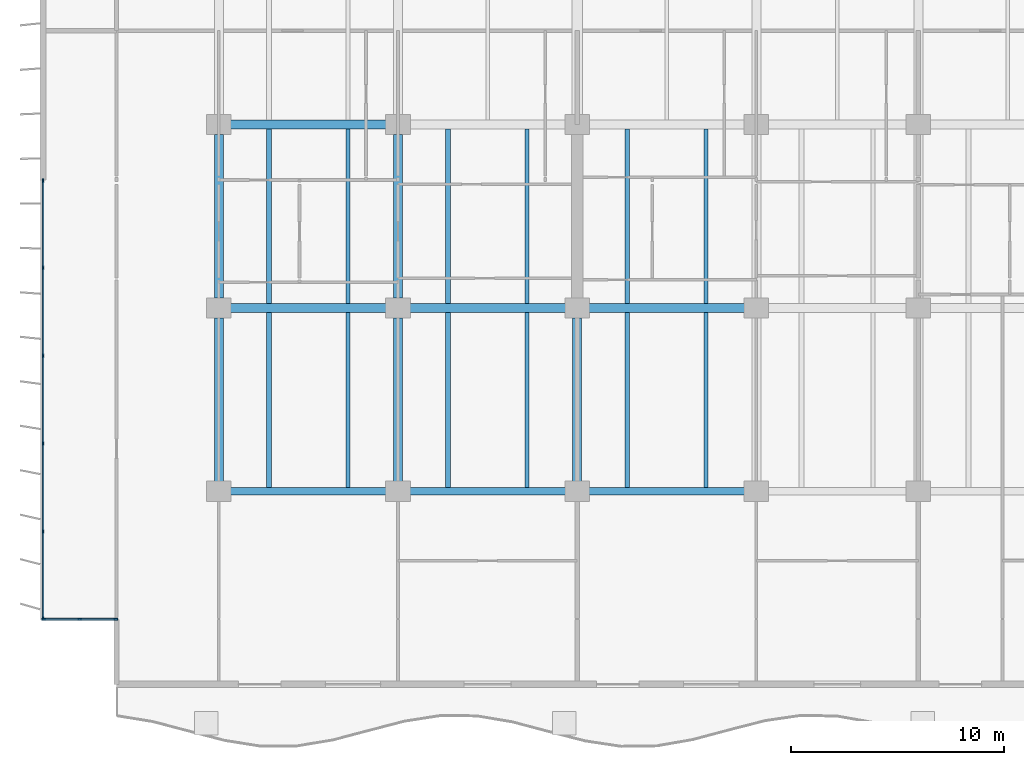
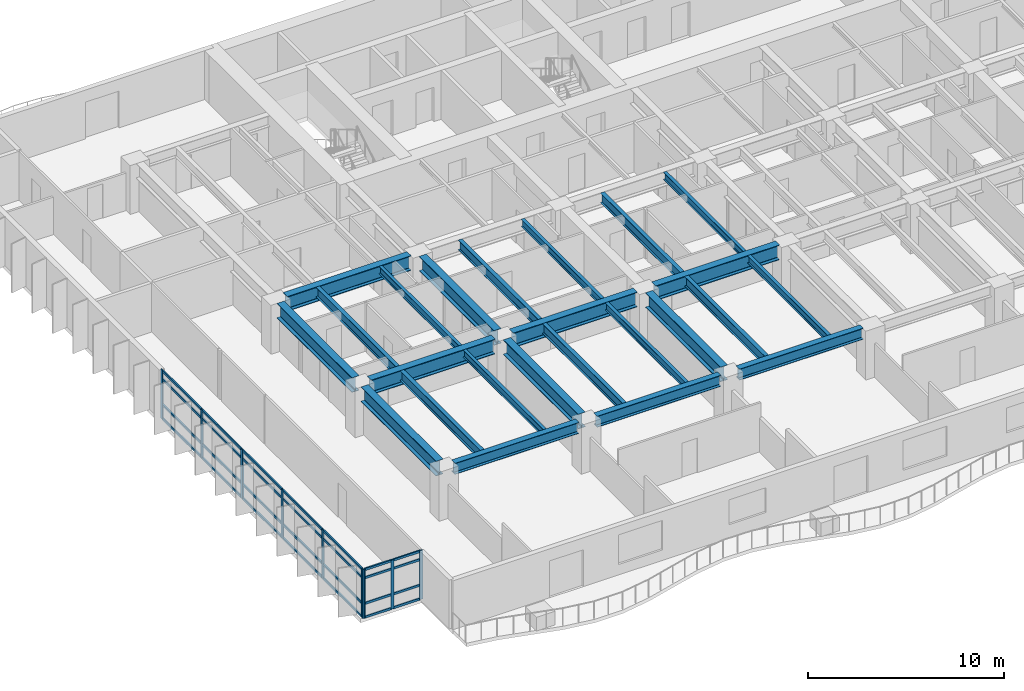
# One storey, part 2 of 18: 37 members, 24 beams, 2 elements without a shape of their own.
"""IFC4 building model written with IfcOpenShell, lengths in metres."""

from ifc_helpers import new_model, si_unit, direction, frame, origin, origin_2d, place, context, subcontext, project, spatial, rectangle, i_section, extrude, material, layer, layer_set, material_profile, profile_set, type_object, element, aggregate, save


model = new_model("IFC4")

# Units and contexts
model_context = context("Model", 3, precision=1e-05, world=origin(), true_north=direction((0.0, 1.0)))
body_context = subcontext(model_context, "Body", "Model", "MODEL_VIEW")
ifc_project = project(units=[si_unit("LENGTHUNIT", "METRE"), si_unit("AREAUNIT", "SQUARE_METRE"), si_unit("VOLUMEUNIT", "CUBIC_METRE"), si_unit("PLANEANGLEUNIT", "RADIAN"), si_unit("MASSUNIT", "GRAM", prefix="KILO")], contexts=[model_context])

# Site, building, storey
site_placement = place(None, origin())
site = spatial("IfcSite", under=ifc_project, at=site_placement, CompositionType="ELEMENT")
building_placement = place(site_placement, origin())
building = spatial("IfcBuilding", under=site, at=building_placement, Name="Caelmar Bay Residences", CompositionType="ELEMENT")
storey_placement = place(building_placement, frame((0.0, 0.0, 56.39990234375)))
storey = spatial("IfcBuildingStorey", under=building, at=storey_placement, Name="L14", CompositionType="ELEMENT", Elevation=56.39990234375)

# Beams
ifc_material_1 = material(Name="Steel ASTM A992 Grade 50", Category="steel")
ifc_material_profile_1 = material_profile(ifc_material_1, i_section(OverallWidth=0.422119140625, OverallDepth=0.925048828125, WebThickness=0.021240234375, FlangeThickness=0.03662109375, FilletRadius=0.020263671875, at=origin_2d()), Name="W36X262")
ifc_profile_set_1 = profile_set([ifc_material_profile_1], Name="Steel ASTM A992 Grade 50")
beam_type_1 = type_object("IfcBeamType", Name="BM-GRD-W36X262", PredefinedType="BEAM", material=ifc_profile_set_1)
beam_1_placement = place(storey_placement, frame((10.43994140625, 20.800048828125, 2.587646484375), z_axis=(1.0, 0.0, 0.0), x_axis=(0.0, 1.0, 0.0)))
element("IfcBeam", 1, at=beam_1_placement, inside=storey, type_object=beam_type_1, Name="L14 East-West Girder Y=20.80 (9.9-18.3)", PredefinedType="BEAM", context=body_context, shape_type="SweptSolid", body=[
    extrude(i_section(OverallWidth=0.422119140625, OverallDepth=0.925048828125, WebThickness=0.021240234375, FlangeThickness=0.03662109375, FilletRadius=0.020263671875, at=origin_2d()), origin(), (0.0, 0.0, 1.0), 7.320068359375),
])
beam_2_placement = place(storey_placement, frame((18.840087890625, 20.800048828125, 2.587646484375), z_axis=(1.0, 0.0, 0.0), x_axis=(0.0, 1.0, 0.0)))
element("IfcBeam", 2, at=beam_2_placement, inside=storey, type_object=beam_type_1, Name="L14 East-West Girder Y=20.80 (18.3-26.7)", PredefinedType="BEAM", context=body_context, shape_type="SweptSolid", body=[
    extrude(i_section(OverallWidth=0.422119140625, OverallDepth=0.925048828125, WebThickness=0.021240234375, FlangeThickness=0.03662109375, FilletRadius=0.020263671875, at=origin_2d()), origin(), (0.0, 0.0, 1.0), 7.31982421875),
])
for number, where, z_axis, x_axis, name in (
    (3, (27.239990234375, 20.800048828125, 2.587646484375), (1.0, 0.0, 0.0), (0.0, 1.0, 0.0), "L14 East-West Girder Y=20.80 (26.7-35.1)"),
    (4, (10.43994140625, 29.39990234375, 2.587646484375), (1.0, 0.0, 0.0), (0.0, 1.0, 0.0), "L14 East-West Girder Y=29.40 (9.9-18.3)"),
):
    element("IfcBeam", number, at=place(storey_placement, frame(where, z_axis=z_axis, x_axis=x_axis)), inside=storey, type_object=beam_type_1, Name=name, PredefinedType="BEAM", context=body_context, shape_type="SweptSolid", body=[
        extrude(i_section(OverallWidth=0.422119140625, OverallDepth=0.925048828125, WebThickness=0.021240234375, FlangeThickness=0.03662109375, FilletRadius=0.020263671875, at=origin_2d()), origin(), (0.0, 0.0, 1.0), 7.320068359375),
    ])
beam_3_placement = place(storey_placement, frame((9.89990234375, 12.6650390625, 2.587646484375), z_axis=(0.0, 1.0, 0.0), x_axis=(-1.0, 0.0, 0.0)))
element("IfcBeam", 5, at=beam_3_placement, inside=storey, type_object=beam_type_1, Name="L14 North-South Girder X=9.90 (12.2-20.8)", PredefinedType="BEAM", context=body_context, shape_type="SweptSolid", body=[
    extrude(i_section(OverallWidth=0.422119140625, OverallDepth=0.925048828125, WebThickness=0.021240234375, FlangeThickness=0.03662109375, FilletRadius=0.020263671875, at=origin_2d()), origin(), (0.0, 0.0, 1.0), 7.669921875),
])
beam_4_placement = place(storey_placement, frame((9.89990234375, 21.264892578125, 2.587646484375), z_axis=(0.0, 1.0, 0.0), x_axis=(-1.0, 0.0, 0.0)))
element("IfcBeam", 6, at=beam_4_placement, inside=storey, type_object=beam_type_1, Name="L14 North-South Girder X=9.90 (20.8-29.4)", PredefinedType="BEAM", context=body_context, shape_type="SweptSolid", body=[
    extrude(i_section(OverallWidth=0.422119140625, OverallDepth=0.925048828125, WebThickness=0.021240234375, FlangeThickness=0.03662109375, FilletRadius=0.020263671875, at=origin_2d()), origin(), (0.0, 0.0, 1.0), 7.670166015625),
])
beam_5_placement = place(storey_placement, frame((18.300048828125, 12.6650390625, 2.587646484375), z_axis=(0.0, 1.0, 0.0), x_axis=(-1.0, 0.0, 0.0)))
element("IfcBeam", 7, at=beam_5_placement, inside=storey, type_object=beam_type_1, Name="L14 North-South Girder X=18.30 (12.2-20.8)", PredefinedType="BEAM", context=body_context, shape_type="SweptSolid", body=[
    extrude(i_section(OverallWidth=0.422119140625, OverallDepth=0.925048828125, WebThickness=0.021240234375, FlangeThickness=0.03662109375, FilletRadius=0.020263671875, at=origin_2d()), origin(), (0.0, 0.0, 1.0), 7.669921875),
])
beam_6_placement = place(storey_placement, frame((18.300048828125, 21.264892578125, 2.587646484375), z_axis=(0.0, 1.0, 0.0), x_axis=(-1.0, 0.0, 0.0)))
element("IfcBeam", 8, at=beam_6_placement, inside=storey, type_object=beam_type_1, Name="L14 North-South Girder X=18.30 (20.8-29.4)", PredefinedType="BEAM", context=body_context, shape_type="SweptSolid", body=[
    extrude(i_section(OverallWidth=0.422119140625, OverallDepth=0.925048828125, WebThickness=0.021240234375, FlangeThickness=0.03662109375, FilletRadius=0.020263671875, at=origin_2d()), origin(), (0.0, 0.0, 1.0), 7.670166015625),
])
beam_7_placement = place(storey_placement, frame((26.699951171875, 12.6650390625, 2.587646484375), z_axis=(0.0, 1.0, 0.0), x_axis=(-1.0, 0.0, 0.0)))
element("IfcBeam", 9, at=beam_7_placement, inside=storey, type_object=beam_type_1, Name="L14 North-South Girder X=26.70 (12.2-20.8)", PredefinedType="BEAM", context=body_context, shape_type="SweptSolid", body=[
    extrude(i_section(OverallWidth=0.422119140625, OverallDepth=0.925048828125, WebThickness=0.021240234375, FlangeThickness=0.03662109375, FilletRadius=0.020263671875, at=origin_2d()), origin(), (0.0, 0.0, 1.0), 7.669921875),
])
ifc_material_profile_2 = material_profile(ifc_material_1, i_section(OverallWidth=0.19091796875, OverallDepth=0.45703125, WebThickness=0.009033203125, FlangeThickness=0.014404296875, FilletRadius=0.01025390625, at=origin_2d()), Name="W18X50")
ifc_profile_set_2 = profile_set([ifc_material_profile_2], Name="Steel ASTM A992 Grade 50")
beam_type_2 = type_object("IfcBeamType", Name="BM-JST-W18X50", PredefinedType="JOIST", material=ifc_profile_set_2)
for number, where, z_axis, x_axis, name in (
    (10, (15.947998046875, 12.3779296875, 2.821533203125), (0.0, 1.0, 0.0), (-1.0, 0.0, 0.0), "L14 Composite Floor Joist 2"),
    (11, (24.347900390625, 12.3779296875, 2.821533203125), (0.0, 1.0, 0.0), (-1.0, 0.0, 0.0), "L14 Composite Floor Joist 4"),
    (12, (32.748046875, 12.3779296875, 2.821533203125), (0.0, 1.0, 0.0), (-1.0, 0.0, 0.0), "L14 Composite Floor Joist 6"),
):
    element("IfcBeam", number, at=place(storey_placement, frame(where, z_axis=z_axis, x_axis=x_axis)), inside=storey, type_object=beam_type_2, Name=name, PredefinedType="JOIST", context=body_context, shape_type="SweptSolid", body=[
        extrude(i_section(OverallWidth=0.19091796875, OverallDepth=0.45703125, WebThickness=0.009033203125, FlangeThickness=0.014404296875, FilletRadius=0.01025390625, at=origin_2d()), origin(), (0.0, 0.0, 1.0), 8.211181640625),
    ])
for number, where, z_axis, x_axis, name in (
    (13, (15.947998046875, 21.010986328125, 2.821533203125), (0.0, 1.0, 0.0), (-1.0, 0.0, 0.0), "L14 Composite Floor Joist 16"),
    (14, (24.347900390625, 21.010986328125, 2.821533203125), (0.0, 1.0, 0.0), (-1.0, 0.0, 0.0), "L14 Composite Floor Joist 18"),
    (15, (32.748046875, 21.010986328125, 2.821533203125), (0.0, 1.0, 0.0), (-1.0, 0.0, 0.0), "L14 Composite Floor Joist 20"),
):
    element("IfcBeam", number, at=place(storey_placement, frame(where, z_axis=z_axis, x_axis=x_axis)), inside=storey, type_object=beam_type_2, Name=name, PredefinedType="JOIST", context=body_context, shape_type="SweptSolid", body=[
        extrude(i_section(OverallWidth=0.19091796875, OverallDepth=0.45703125, WebThickness=0.009033203125, FlangeThickness=0.014404296875, FilletRadius=0.01025390625, at=origin_2d()), origin(), (0.0, 0.0, 1.0), 8.177978515625),
    ])
ifc_material_profile_3 = material_profile(ifc_material_1, i_section(OverallWidth=0.22900390625, OverallDepth=0.612060546875, WebThickness=0.011962890625, FlangeThickness=0.01953125, FilletRadius=0.0126953125, at=origin_2d()), Name="W24X84")
ifc_profile_set_3 = profile_set([ifc_material_profile_3], Name="Steel ASTM A992 Grade 50")
beam_type_3 = type_object("IfcBeamType", Name="BM-JST-W24X84", PredefinedType="JOIST", material=ifc_profile_set_3)
for number, where, z_axis, x_axis, name in (
    (16, (12.251953125, 12.3779296875, 2.744140625), (0.0, 1.0, 0.0), (-1.0, 0.0, 0.0), "L14 Composite Floor Joist 1"),
    (17, (20.652099609375, 12.3779296875, 2.744140625), (0.0, 1.0, 0.0), (-1.0, 0.0, 0.0), "L14 Composite Floor Joist 3"),
    (18, (29.052001953125, 12.3779296875, 2.744140625), (0.0, 1.0, 0.0), (-1.0, 0.0, 0.0), "L14 Composite Floor Joist 5"),
):
    element("IfcBeam", number, at=place(storey_placement, frame(where, z_axis=z_axis, x_axis=x_axis)), inside=storey, type_object=beam_type_3, Name=name, PredefinedType="JOIST", context=body_context, shape_type="SweptSolid", body=[
        extrude(i_section(OverallWidth=0.22900390625, OverallDepth=0.612060546875, WebThickness=0.011962890625, FlangeThickness=0.01953125, FilletRadius=0.0126953125, at=origin_2d()), origin(), (0.0, 0.0, 1.0), 8.211181640625),
    ])
for number, where, z_axis, x_axis, name in (
    (19, (12.251953125, 21.010986328125, 2.744140625), (0.0, 1.0, 0.0), (-1.0, 0.0, 0.0), "L14 Composite Floor Joist 15"),
    (20, (20.652099609375, 21.010986328125, 2.744140625), (0.0, 1.0, 0.0), (-1.0, 0.0, 0.0), "L14 Composite Floor Joist 17"),
    (21, (29.052001953125, 21.010986328125, 2.744140625), (0.0, 1.0, 0.0), (-1.0, 0.0, 0.0), "L14 Composite Floor Joist 19"),
):
    element("IfcBeam", number, at=place(storey_placement, frame(where, z_axis=z_axis, x_axis=x_axis)), inside=storey, type_object=beam_type_3, Name=name, PredefinedType="JOIST", context=body_context, shape_type="SweptSolid", body=[
        extrude(i_section(OverallWidth=0.22900390625, OverallDepth=0.612060546875, WebThickness=0.011962890625, FlangeThickness=0.01953125, FilletRadius=0.0126953125, at=origin_2d()), origin(), (0.0, 0.0, 1.0), 8.177978515625),
    ])
ifc_material_profile_4 = material_profile(ifc_material_1, i_section(OverallWidth=0.35595703125, OverallDepth=0.696044921875, WebThickness=0.015380859375, FlangeThickness=0.02490234375, FilletRadius=0.01513671875, at=origin_2d()), Name="W27X146")
ifc_profile_set_4 = profile_set([ifc_material_profile_4], Name="Steel ASTM A992 Grade 50")
beam_type_4 = type_object("IfcBeamType", Name="BM-SPN-W27X146", PredefinedType="SPANDREL", material=ifc_profile_set_4)
beam_8_placement = place(storey_placement, frame((10.43994140625, 12.199951171875, 2.7021484375), z_axis=(1.0, 0.0, 0.0), x_axis=(0.0, 1.0, 0.0)))
element("IfcBeam", 22, at=beam_8_placement, inside=storey, type_object=beam_type_4, Name="L14 East-West Girder Y=12.20 (9.9-18.3)", PredefinedType="SPANDREL", context=body_context, shape_type="SweptSolid", body=[
    extrude(i_section(OverallWidth=0.35595703125, OverallDepth=0.696044921875, WebThickness=0.015380859375, FlangeThickness=0.02490234375, FilletRadius=0.01513671875, at=origin_2d()), origin(), (0.0, 0.0, 1.0), 7.320068359375),
])
beam_9_placement = place(storey_placement, frame((18.840087890625, 12.199951171875, 2.7021484375), z_axis=(1.0, 0.0, 0.0), x_axis=(0.0, 1.0, 0.0)))
element("IfcBeam", 23, at=beam_9_placement, inside=storey, type_object=beam_type_4, Name="L14 East-West Girder Y=12.20 (18.3-26.7)", PredefinedType="SPANDREL", context=body_context, shape_type="SweptSolid", body=[
    extrude(i_section(OverallWidth=0.35595703125, OverallDepth=0.696044921875, WebThickness=0.015380859375, FlangeThickness=0.02490234375, FilletRadius=0.01513671875, at=origin_2d()), origin(), (0.0, 0.0, 1.0), 7.31982421875),
])
beam_10_placement = place(storey_placement, frame((27.239990234375, 12.199951171875, 2.7021484375), z_axis=(1.0, 0.0, 0.0), x_axis=(0.0, 1.0, 0.0)))
element("IfcBeam", 24, at=beam_10_placement, inside=storey, type_object=beam_type_4, Name="L14 East-West Girder Y=12.20 (26.7-35.1)", PredefinedType="SPANDREL", context=body_context, shape_type="SweptSolid", body=[
    extrude(i_section(OverallWidth=0.35595703125, OverallDepth=0.696044921875, WebThickness=0.015380859375, FlangeThickness=0.02490234375, FilletRadius=0.01513671875, at=origin_2d()), origin(), (0.0, 0.0, 1.0), 7.320068359375),
])

# Curtain wall, members
ifc_material_2 = material(Name="Anodised bronze aluminium 6063-T6 and laminated glass", Category="aluminium")
ifc_layer_1 = layer(ifc_material_2, 0.179931640625)
ifc_layer_set_1 = layer_set([ifc_layer_1], Name="Anodised bronze aluminium 6063-T6 and laminated glass")
curtain_wall_type_1 = type_object("IfcCurtainWallType", Name="CW6-NTC", PredefinedType="NOTDEFINED", material=ifc_layer_set_1)
curtain_wall_1_placement = place(storey_placement, origin())
curtain_wall_1 = element("IfcCurtainWall", 25, at=curtain_wall_1_placement, inside=storey, type_object=curtain_wall_type_1, Name="CW6 curtain wall L14", PredefinedType="NOTDEFINED")
ifc_material_3 = material(Name="Anodised bronze aluminium 6063-T6", Category="aluminium")
ifc_material_profile_5 = material_profile(ifc_material_3, rectangle(XDim=0.080078125, YDim=0.179931640625, at=origin_2d()), Name="CWM-80X180")
ifc_profile_set_5 = profile_set([ifc_material_profile_5], Name="Anodised bronze aluminium 6063-T6")
member_type_1 = type_object("IfcMemberType", Name="CWM-180", PredefinedType="MULLION", material=ifc_profile_set_5)
member_1_placement = place(storey_placement, frame((1.68994140625, 6.199951171875, 0.0), z_axis=(0.0, 0.0, 1.0), x_axis=(0.0, 1.0, 0.0)))
member_1 = element("IfcMember", 26, at=member_1_placement, type_object=member_type_1, Name="CW6 mullion 1", PredefinedType="MULLION", context=body_context, shape_type="SweptSolid", body=[
    extrude(rectangle(XDim=0.080078125, YDim=0.179931640625, at=origin_2d()), origin(), (0.0, 0.0, 1.0), 3.050048828125),
])
member_2_placement = place(storey_placement, frame((3.375, 6.199951171875, 0.0), z_axis=(0.0, 0.0, 1.0), x_axis=(0.0, 1.0, 0.0)))
member_2 = element("IfcMember", 27, at=member_2_placement, type_object=member_type_1, Name="CW6 mullion 2", PredefinedType="MULLION", context=body_context, shape_type="SweptSolid", body=[
    extrude(rectangle(XDim=0.080078125, YDim=0.179931640625, at=origin_2d()), origin(), (0.0, 0.0, 1.0), 3.050048828125),
])
member_3_placement = place(storey_placement, frame((5.06005859375, 6.199951171875, 0.0), z_axis=(0.0, 0.0, 1.0), x_axis=(0.0, 1.0, 0.0)))
member_3 = element("IfcMember", 28, at=member_3_placement, type_object=member_type_1, Name="CW6 mullion 3", PredefinedType="MULLION", context=body_context, shape_type="SweptSolid", body=[
    extrude(rectangle(XDim=0.080078125, YDim=0.179931640625, at=origin_2d()), origin(), (0.0, 0.0, 1.0), 3.050048828125),
])

ifc_layer_2 = layer(ifc_material_2, 0.179931640625)
ifc_layer_set_2 = layer_set([ifc_layer_2], Name="Anodised bronze aluminium 6063-T6 and laminated glass")
curtain_wall_type_2 = type_object("IfcCurtainWallType", Name="CW2-Z1", PredefinedType="NOTDEFINED", material=ifc_layer_set_2)
curtain_wall_2_placement = place(storey_placement, origin())
curtain_wall_2 = element("IfcCurtainWall", 29, at=curtain_wall_2_placement, inside=storey, type_object=curtain_wall_type_2, Name="CW2 curtain wall L14", PredefinedType="NOTDEFINED")
member_4_placement = place(storey_placement, frame((1.64990234375, 6.239990234375, 0.0), z_axis=(0.0, 0.0, 1.0), x_axis=(-1.0, 0.0, 0.0)))
member_4 = element("IfcMember", 30, at=member_4_placement, type_object=member_type_1, Name="CW2 mullion 1", PredefinedType="MULLION", context=body_context, shape_type="SweptSolid", body=[
    extrude(rectangle(XDim=0.080078125, YDim=0.179931640625, at=origin_2d()), origin(), (0.0, 0.0, 1.0), 3.050048828125),
])
member_5_placement = place(storey_placement, frame((1.64990234375, 10.320068359375, 0.0), z_axis=(0.0, 0.0, 1.0), x_axis=(-1.0, 0.0, 0.0)))
member_5 = element("IfcMember", 31, at=member_5_placement, type_object=member_type_1, Name="CW2 mullion 2", PredefinedType="MULLION", context=body_context, shape_type="SweptSolid", body=[
    extrude(rectangle(XDim=0.080078125, YDim=0.179931640625, at=origin_2d()), origin(), (0.0, 0.0, 1.0), 3.050048828125),
])
member_6_placement = place(storey_placement, frame((1.64990234375, 14.43994140625, 0.0), z_axis=(0.0, 0.0, 1.0), x_axis=(-1.0, 0.0, 0.0)))
member_6 = element("IfcMember", 32, at=member_6_placement, type_object=member_type_1, Name="CW2 mullion 3", PredefinedType="MULLION", context=body_context, shape_type="SweptSolid", body=[
    extrude(rectangle(XDim=0.080078125, YDim=0.179931640625, at=origin_2d()), origin(), (0.0, 0.0, 1.0), 3.050048828125),
])
member_7_placement = place(storey_placement, frame((1.64990234375, 18.56005859375, 0.0), z_axis=(0.0, 0.0, 1.0), x_axis=(-1.0, 0.0, 0.0)))
member_7 = element("IfcMember", 33, at=member_7_placement, type_object=member_type_1, Name="CW2 mullion 4", PredefinedType="MULLION", context=body_context, shape_type="SweptSolid", body=[
    extrude(rectangle(XDim=0.080078125, YDim=0.179931640625, at=origin_2d()), origin(), (0.0, 0.0, 1.0), 3.050048828125),
])
member_8_placement = place(storey_placement, frame((1.64990234375, 22.679931640625, 0.0), z_axis=(0.0, 0.0, 1.0), x_axis=(-1.0, 0.0, 0.0)))
member_8 = element("IfcMember", 34, at=member_8_placement, type_object=member_type_1, Name="CW2 mullion 5", PredefinedType="MULLION", context=body_context, shape_type="SweptSolid", body=[
    extrude(rectangle(XDim=0.080078125, YDim=0.179931640625, at=origin_2d()), origin(), (0.0, 0.0, 1.0), 3.050048828125),
])
member_9_placement = place(storey_placement, frame((1.64990234375, 26.760009765625, 0.0), z_axis=(0.0, 0.0, 1.0), x_axis=(-1.0, 0.0, 0.0)))
member_9 = element("IfcMember", 35, at=member_9_placement, type_object=member_type_1, Name="CW2 mullion 6", PredefinedType="MULLION", context=body_context, shape_type="SweptSolid", body=[
    extrude(rectangle(XDim=0.080078125, YDim=0.179931640625, at=origin_2d()), origin(), (0.0, 0.0, 1.0), 3.050048828125),
])

# Member
ifc_material_profile_6 = material_profile(ifc_material_3, rectangle(XDim=0.080078125, YDim=0.139892578125, at=origin_2d()), Name="CWT-80X140")
ifc_profile_set_6 = profile_set([ifc_material_profile_6], Name="Anodised bronze aluminium 6063-T6")
member_type_2 = type_object("IfcMemberType", Name="CWT-140", PredefinedType="NOTDEFINED", material=ifc_profile_set_6)
member_10_placement = place(storey_placement, frame((1.72998046875, 6.199951171875, 0.0400390625), z_axis=(1.0, 0.0, 0.0), x_axis=(0.0, 1.0, 0.0)))
member_10 = element("IfcMember", 36, at=member_10_placement, type_object=member_type_2, Name="CW6 transom 1.1", ObjectType="TRANSOM", PredefinedType="USERDEFINED", context=body_context, shape_type="SweptSolid", body=[
    extrude(rectangle(XDim=0.080078125, YDim=0.139892578125, at=origin_2d()), origin(), (0.0, 0.0, 1.0), 1.60498046875),
])

member_11_placement = place(storey_placement, frame((1.72998046875, 6.199951171875, 0.900146484375), z_axis=(1.0, 0.0, 0.0), x_axis=(0.0, 1.0, 0.0)))
member_11 = element("IfcMember", 37, at=member_11_placement, type_object=member_type_2, Name="CW6 transom 1.2", ObjectType="TRANSOM", PredefinedType="USERDEFINED", context=body_context, shape_type="SweptSolid", body=[
    extrude(rectangle(XDim=0.080078125, YDim=0.139892578125, at=origin_2d()), origin(), (0.0, 0.0, 1.0), 1.60498046875),
])

member_12_placement = place(storey_placement, frame((1.72998046875, 6.199951171875, 2.5), z_axis=(1.0, 0.0, 0.0), x_axis=(0.0, 1.0, 0.0)))
member_12 = element("IfcMember", 38, at=member_12_placement, type_object=member_type_2, Name="CW6 transom 1.3", ObjectType="TRANSOM", PredefinedType="USERDEFINED", context=body_context, shape_type="SweptSolid", body=[
    extrude(rectangle(XDim=0.080078125, YDim=0.139892578125, at=origin_2d()), origin(), (0.0, 0.0, 1.0), 1.60498046875),
])

member_13_placement = place(storey_placement, frame((1.72998046875, 6.199951171875, 3.010009765625), z_axis=(1.0, 0.0, 0.0), x_axis=(0.0, 1.0, 0.0)))
member_13 = element("IfcMember", 39, at=member_13_placement, type_object=member_type_2, Name="CW6 transom 1.4", ObjectType="TRANSOM", PredefinedType="USERDEFINED", context=body_context, shape_type="SweptSolid", body=[
    extrude(rectangle(XDim=0.080078125, YDim=0.139892578125, at=origin_2d()), origin(), (0.0, 0.0, 1.0), 1.60498046875),
])

member_14_placement = place(storey_placement, frame((3.4150390625, 6.199951171875, 0.0400390625), z_axis=(1.0, 0.0, 0.0), x_axis=(0.0, 1.0, 0.0)))
member_14 = element("IfcMember", 40, at=member_14_placement, type_object=member_type_2, Name="CW6 transom 2.1", ObjectType="TRANSOM", PredefinedType="USERDEFINED", context=body_context, shape_type="SweptSolid", body=[
    extrude(rectangle(XDim=0.080078125, YDim=0.139892578125, at=origin_2d()), origin(), (0.0, 0.0, 1.0), 1.60498046875),
])

member_15_placement = place(storey_placement, frame((3.4150390625, 6.199951171875, 0.900146484375), z_axis=(1.0, 0.0, 0.0), x_axis=(0.0, 1.0, 0.0)))
member_15 = element("IfcMember", 41, at=member_15_placement, type_object=member_type_2, Name="CW6 transom 2.2", ObjectType="TRANSOM", PredefinedType="USERDEFINED", context=body_context, shape_type="SweptSolid", body=[
    extrude(rectangle(XDim=0.080078125, YDim=0.139892578125, at=origin_2d()), origin(), (0.0, 0.0, 1.0), 1.60498046875),
])

member_16_placement = place(storey_placement, frame((3.4150390625, 6.199951171875, 2.5), z_axis=(1.0, 0.0, 0.0), x_axis=(0.0, 1.0, 0.0)))
member_16 = element("IfcMember", 42, at=member_16_placement, type_object=member_type_2, Name="CW6 transom 2.3", ObjectType="TRANSOM", PredefinedType="USERDEFINED", context=body_context, shape_type="SweptSolid", body=[
    extrude(rectangle(XDim=0.080078125, YDim=0.139892578125, at=origin_2d()), origin(), (0.0, 0.0, 1.0), 1.60498046875),
])

member_17_placement = place(storey_placement, frame((3.4150390625, 6.199951171875, 3.010009765625), z_axis=(1.0, 0.0, 0.0), x_axis=(0.0, 1.0, 0.0)))
member_17 = element("IfcMember", 43, at=member_17_placement, type_object=member_type_2, Name="CW6 transom 2.4", ObjectType="TRANSOM", PredefinedType="USERDEFINED", context=body_context, shape_type="SweptSolid", body=[
    extrude(rectangle(XDim=0.080078125, YDim=0.139892578125, at=origin_2d()), origin(), (0.0, 0.0, 1.0), 1.60498046875),
])

aggregate(curtain_wall_1, [member_1, member_2, member_3, member_10, member_11, member_12, member_13, member_14, member_15, member_16, member_17])

member_18_placement = place(storey_placement, frame((1.64990234375, 6.280029296875, 0.0400390625), z_axis=(0.0, 1.0, 0.0), x_axis=(-1.0, 0.0, 0.0)))
member_18 = element("IfcMember", 44, at=member_18_placement, type_object=member_type_2, Name="CW2 transom 1.1", ObjectType="TRANSOM", PredefinedType="USERDEFINED", context=body_context, shape_type="SweptSolid", body=[
    extrude(rectangle(XDim=0.080078125, YDim=0.139892578125, at=origin_2d()), origin(), (0.0, 0.0, 1.0), 4.0),
])

member_19_placement = place(storey_placement, frame((1.64990234375, 6.280029296875, 0.900146484375), z_axis=(0.0, 1.0, 0.0), x_axis=(-1.0, 0.0, 0.0)))
member_19 = element("IfcMember", 45, at=member_19_placement, type_object=member_type_2, Name="CW2 transom 1.2", ObjectType="TRANSOM", PredefinedType="USERDEFINED", context=body_context, shape_type="SweptSolid", body=[
    extrude(rectangle(XDim=0.080078125, YDim=0.139892578125, at=origin_2d()), origin(), (0.0, 0.0, 1.0), 4.0),
])

member_20_placement = place(storey_placement, frame((1.64990234375, 6.280029296875, 2.5), z_axis=(0.0, 1.0, 0.0), x_axis=(-1.0, 0.0, 0.0)))
member_20 = element("IfcMember", 46, at=member_20_placement, type_object=member_type_2, Name="CW2 transom 1.3", ObjectType="TRANSOM", PredefinedType="USERDEFINED", context=body_context, shape_type="SweptSolid", body=[
    extrude(rectangle(XDim=0.080078125, YDim=0.139892578125, at=origin_2d()), origin(), (0.0, 0.0, 1.0), 4.0),
])

member_21_placement = place(storey_placement, frame((1.64990234375, 6.280029296875, 3.010009765625), z_axis=(0.0, 1.0, 0.0), x_axis=(-1.0, 0.0, 0.0)))
member_21 = element("IfcMember", 47, at=member_21_placement, type_object=member_type_2, Name="CW2 transom 1.4", ObjectType="TRANSOM", PredefinedType="USERDEFINED", context=body_context, shape_type="SweptSolid", body=[
    extrude(rectangle(XDim=0.080078125, YDim=0.139892578125, at=origin_2d()), origin(), (0.0, 0.0, 1.0), 4.0),
])

member_22_placement = place(storey_placement, frame((1.64990234375, 10.360107421875, 0.0400390625), z_axis=(0.0, 1.0, 0.0), x_axis=(-1.0, 0.0, 0.0)))
member_22 = element("IfcMember", 48, at=member_22_placement, type_object=member_type_2, Name="CW2 transom 2.1", ObjectType="TRANSOM", PredefinedType="USERDEFINED", context=body_context, shape_type="SweptSolid", body=[
    extrude(rectangle(XDim=0.080078125, YDim=0.139892578125, at=origin_2d()), origin(), (0.0, 0.0, 1.0), 4.039794921875),
])

member_23_placement = place(storey_placement, frame((1.64990234375, 10.360107421875, 0.900146484375), z_axis=(0.0, 1.0, 0.0), x_axis=(-1.0, 0.0, 0.0)))
member_23 = element("IfcMember", 49, at=member_23_placement, type_object=member_type_2, Name="CW2 transom 2.2", ObjectType="TRANSOM", PredefinedType="USERDEFINED", context=body_context, shape_type="SweptSolid", body=[
    extrude(rectangle(XDim=0.080078125, YDim=0.139892578125, at=origin_2d()), origin(), (0.0, 0.0, 1.0), 4.039794921875),
])

member_24_placement = place(storey_placement, frame((1.64990234375, 10.360107421875, 2.5), z_axis=(0.0, 1.0, 0.0), x_axis=(-1.0, 0.0, 0.0)))
member_24 = element("IfcMember", 50, at=member_24_placement, type_object=member_type_2, Name="CW2 transom 2.3", ObjectType="TRANSOM", PredefinedType="USERDEFINED", context=body_context, shape_type="SweptSolid", body=[
    extrude(rectangle(XDim=0.080078125, YDim=0.139892578125, at=origin_2d()), origin(), (0.0, 0.0, 1.0), 4.039794921875),
])

member_25_placement = place(storey_placement, frame((1.64990234375, 10.360107421875, 3.010009765625), z_axis=(0.0, 1.0, 0.0), x_axis=(-1.0, 0.0, 0.0)))
member_25 = element("IfcMember", 51, at=member_25_placement, type_object=member_type_2, Name="CW2 transom 2.4", ObjectType="TRANSOM", PredefinedType="USERDEFINED", context=body_context, shape_type="SweptSolid", body=[
    extrude(rectangle(XDim=0.080078125, YDim=0.139892578125, at=origin_2d()), origin(), (0.0, 0.0, 1.0), 4.039794921875),
])

member_26_placement = place(storey_placement, frame((1.64990234375, 14.47998046875, 0.0400390625), z_axis=(0.0, 1.0, 0.0), x_axis=(-1.0, 0.0, 0.0)))
member_26 = element("IfcMember", 52, at=member_26_placement, type_object=member_type_2, Name="CW2 transom 3.1", ObjectType="TRANSOM", PredefinedType="USERDEFINED", context=body_context, shape_type="SweptSolid", body=[
    extrude(rectangle(XDim=0.080078125, YDim=0.139892578125, at=origin_2d()), origin(), (0.0, 0.0, 1.0), 4.0400390625),
])

member_27_placement = place(storey_placement, frame((1.64990234375, 14.47998046875, 0.900146484375), z_axis=(0.0, 1.0, 0.0), x_axis=(-1.0, 0.0, 0.0)))
member_27 = element("IfcMember", 53, at=member_27_placement, type_object=member_type_2, Name="CW2 transom 3.2", ObjectType="TRANSOM", PredefinedType="USERDEFINED", context=body_context, shape_type="SweptSolid", body=[
    extrude(rectangle(XDim=0.080078125, YDim=0.139892578125, at=origin_2d()), origin(), (0.0, 0.0, 1.0), 4.0400390625),
])

member_28_placement = place(storey_placement, frame((1.64990234375, 14.47998046875, 2.5), z_axis=(0.0, 1.0, 0.0), x_axis=(-1.0, 0.0, 0.0)))
member_28 = element("IfcMember", 54, at=member_28_placement, type_object=member_type_2, Name="CW2 transom 3.3", ObjectType="TRANSOM", PredefinedType="USERDEFINED", context=body_context, shape_type="SweptSolid", body=[
    extrude(rectangle(XDim=0.080078125, YDim=0.139892578125, at=origin_2d()), origin(), (0.0, 0.0, 1.0), 4.0400390625),
])

member_29_placement = place(storey_placement, frame((1.64990234375, 14.47998046875, 3.010009765625), z_axis=(0.0, 1.0, 0.0), x_axis=(-1.0, 0.0, 0.0)))
member_29 = element("IfcMember", 55, at=member_29_placement, type_object=member_type_2, Name="CW2 transom 3.4", ObjectType="TRANSOM", PredefinedType="USERDEFINED", context=body_context, shape_type="SweptSolid", body=[
    extrude(rectangle(XDim=0.080078125, YDim=0.139892578125, at=origin_2d()), origin(), (0.0, 0.0, 1.0), 4.0400390625),
])

member_30_placement = place(storey_placement, frame((1.64990234375, 18.60009765625, 0.0400390625), z_axis=(0.0, 1.0, 0.0), x_axis=(-1.0, 0.0, 0.0)))
member_30 = element("IfcMember", 56, at=member_30_placement, type_object=member_type_2, Name="CW2 transom 4.1", ObjectType="TRANSOM", PredefinedType="USERDEFINED", context=body_context, shape_type="SweptSolid", body=[
    extrude(rectangle(XDim=0.080078125, YDim=0.139892578125, at=origin_2d()), origin(), (0.0, 0.0, 1.0), 4.039794921875),
])

member_31_placement = place(storey_placement, frame((1.64990234375, 18.60009765625, 0.900146484375), z_axis=(0.0, 1.0, 0.0), x_axis=(-1.0, 0.0, 0.0)))
member_31 = element("IfcMember", 57, at=member_31_placement, type_object=member_type_2, Name="CW2 transom 4.2", ObjectType="TRANSOM", PredefinedType="USERDEFINED", context=body_context, shape_type="SweptSolid", body=[
    extrude(rectangle(XDim=0.080078125, YDim=0.139892578125, at=origin_2d()), origin(), (0.0, 0.0, 1.0), 4.039794921875),
])

member_32_placement = place(storey_placement, frame((1.64990234375, 18.60009765625, 2.5), z_axis=(0.0, 1.0, 0.0), x_axis=(-1.0, 0.0, 0.0)))
member_32 = element("IfcMember", 58, at=member_32_placement, type_object=member_type_2, Name="CW2 transom 4.3", ObjectType="TRANSOM", PredefinedType="USERDEFINED", context=body_context, shape_type="SweptSolid", body=[
    extrude(rectangle(XDim=0.080078125, YDim=0.139892578125, at=origin_2d()), origin(), (0.0, 0.0, 1.0), 4.039794921875),
])

member_33_placement = place(storey_placement, frame((1.64990234375, 18.60009765625, 3.010009765625), z_axis=(0.0, 1.0, 0.0), x_axis=(-1.0, 0.0, 0.0)))
member_33 = element("IfcMember", 59, at=member_33_placement, type_object=member_type_2, Name="CW2 transom 4.4", ObjectType="TRANSOM", PredefinedType="USERDEFINED", context=body_context, shape_type="SweptSolid", body=[
    extrude(rectangle(XDim=0.080078125, YDim=0.139892578125, at=origin_2d()), origin(), (0.0, 0.0, 1.0), 4.039794921875),
])

member_34_placement = place(storey_placement, frame((1.64990234375, 22.719970703125, 0.0400390625), z_axis=(0.0, 1.0, 0.0), x_axis=(-1.0, 0.0, 0.0)))
member_34 = element("IfcMember", 60, at=member_34_placement, type_object=member_type_2, Name="CW2 transom 5.1", ObjectType="TRANSOM", PredefinedType="USERDEFINED", context=body_context, shape_type="SweptSolid", body=[
    extrude(rectangle(XDim=0.080078125, YDim=0.139892578125, at=origin_2d()), origin(), (0.0, 0.0, 1.0), 4.0),
])

member_35_placement = place(storey_placement, frame((1.64990234375, 22.719970703125, 0.900146484375), z_axis=(0.0, 1.0, 0.0), x_axis=(-1.0, 0.0, 0.0)))
member_35 = element("IfcMember", 61, at=member_35_placement, type_object=member_type_2, Name="CW2 transom 5.2", ObjectType="TRANSOM", PredefinedType="USERDEFINED", context=body_context, shape_type="SweptSolid", body=[
    extrude(rectangle(XDim=0.080078125, YDim=0.139892578125, at=origin_2d()), origin(), (0.0, 0.0, 1.0), 4.0),
])

member_36_placement = place(storey_placement, frame((1.64990234375, 22.719970703125, 2.5), z_axis=(0.0, 1.0, 0.0), x_axis=(-1.0, 0.0, 0.0)))
member_36 = element("IfcMember", 62, at=member_36_placement, type_object=member_type_2, Name="CW2 transom 5.3", ObjectType="TRANSOM", PredefinedType="USERDEFINED", context=body_context, shape_type="SweptSolid", body=[
    extrude(rectangle(XDim=0.080078125, YDim=0.139892578125, at=origin_2d()), origin(), (0.0, 0.0, 1.0), 4.0),
])

member_37_placement = place(storey_placement, frame((1.64990234375, 22.719970703125, 3.010009765625), z_axis=(0.0, 1.0, 0.0), x_axis=(-1.0, 0.0, 0.0)))
member_37 = element("IfcMember", 63, at=member_37_placement, type_object=member_type_2, Name="CW2 transom 5.4", ObjectType="TRANSOM", PredefinedType="USERDEFINED", context=body_context, shape_type="SweptSolid", body=[
    extrude(rectangle(XDim=0.080078125, YDim=0.139892578125, at=origin_2d()), origin(), (0.0, 0.0, 1.0), 4.0),
])

aggregate(curtain_wall_2, [member_4, member_5, member_6, member_7, member_8, member_9, member_18, member_19, member_20, member_21, member_22, member_23, member_24, member_25, member_26, member_27, member_28, member_29, member_30, member_31, member_32, member_33, member_34, member_35, member_36, member_37])

save(model, "model.ifc")
